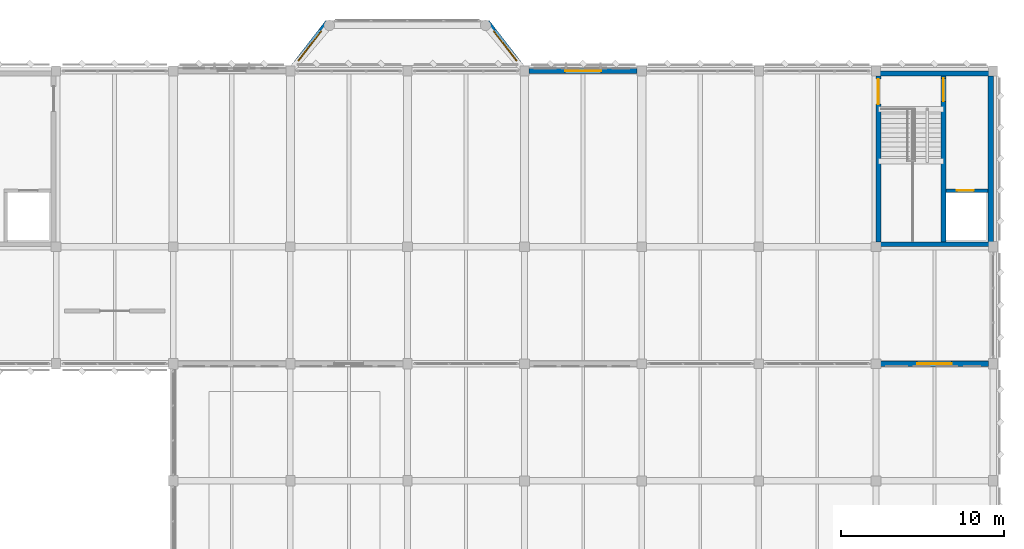
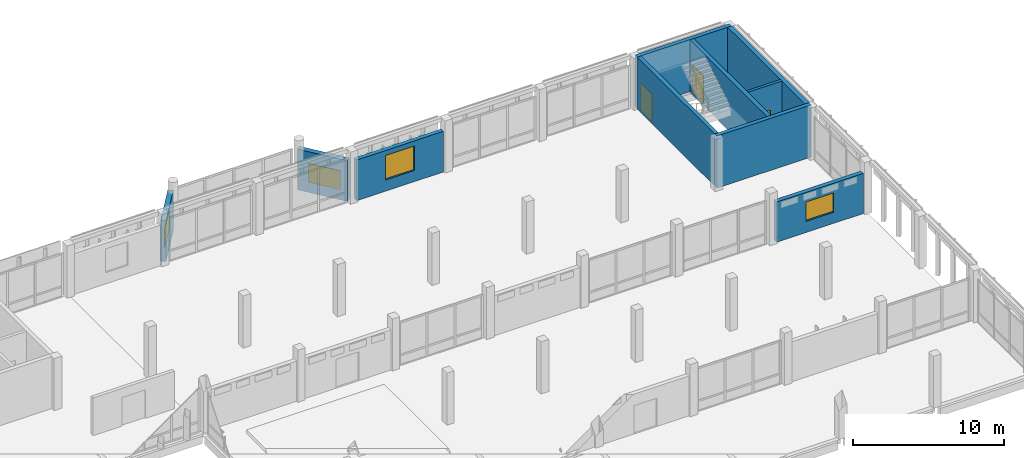
# One storey, part 137 of 158: 10 walls, 4 windows, 3 doors, 7 openings.
"""IFC4 building model written with IfcOpenShell, lengths in metres."""

from ifc_helpers import new_model, si_unit, direction, frame, frame_2d, origin, place, context, subcontext, project, spatial, rectangle, extrude, material, layer, layer_set, type_object, element, fill, save


model = new_model("IFC4")

# Units and contexts
model_context = context("Model", 3, precision=1e-05, world=origin(), true_north=direction((0.0, 1.0)))
body_context = subcontext(model_context, "Body", "Model", "MODEL_VIEW")
ifc_project = project(units=[si_unit("LENGTHUNIT", "METRE"), si_unit("AREAUNIT", "SQUARE_METRE"), si_unit("VOLUMEUNIT", "CUBIC_METRE"), si_unit("PLANEANGLEUNIT", "RADIAN"), si_unit("MASSUNIT", "GRAM", prefix="KILO")], contexts=[model_context])

# Site, building, storey
site_placement = place(None, origin())
site = spatial("IfcSite", under=ifc_project, at=site_placement, CompositionType="ELEMENT")
building_placement = place(site_placement, origin())
building = spatial("IfcBuilding", under=site, at=building_placement, Name="Lusvemor Sports Hall", CompositionType="ELEMENT")
storey_placement = place(building_placement, frame((0.0, 0.0, 10.800048828125)))
storey = spatial("IfcBuildingStorey", under=building, at=storey_placement, Name="L02", CompositionType="ELEMENT", Elevation=10.800048828125)

# Wall, opening, window
ifc_material_1 = material(Name="Emerald polychrome glazed ceramic cladding on Concrete C40/50 backing", Category="concrete")
ifc_layer_1 = layer(ifc_material_1, 0.364990234375)
ifc_layer_set_1 = layer_set([ifc_layer_1], Name="Emerald polychrome glazed ceramic cladding on Concrete C40/50 backing")
wall_type_1 = type_object("IfcWallType", Name="EW_WAVE_CER_365", PredefinedType="STANDARD", material=ifc_layer_set_1)
wall_1_placement = place(storey_placement, frame((126.14697265625, 115.389892578125, 0.0), z_axis=(0.0, 0.0, 1.0), x_axis=(0.612163511331, 0.790731202998, 0.0)))
wall_1 = element("IfcWall", 1, at=wall_1_placement, inside=storey, type_object=wall_type_1, Name="Art Nouveau Bow Wall EW-BOW-N3-L02-1", PredefinedType="STANDARD", context=body_context, shape_type="SweptSolid", body=[
    extrude(rectangle(XDim=3.560302734375, YDim=0.364990234375, at=frame_2d((1.7802734375, 0.0))), origin(), (0.0, 0.0, 1.0), 3.280029296875),
])
opening_1_placement = place(wall_1_placement, frame((0.56005859375, 0.0, 0.699951171875)))
opening_1 = element("IfcOpeningElement", 2, at=opening_1_placement, cuts=wall_1, Name="Opening WN21", PredefinedType="OPENING", context=body_context, shape_type="SweptSolid", body=[
    extrude(rectangle(XDim=2.320068359375, YDim=1.52001953125, at=frame_2d((1.16015625, 0.760009765625))), frame((0.0, 0.1826171875, 0.0), z_axis=(0.0, -1.0, 0.0), x_axis=(1.0, 0.0, 0.0)), (0.0, 0.0, 1.0), 0.364990234375),
])
ifc_material_2 = material(Name="Solar-control laminated double glazing", Category="glass")
window_type_1 = type_object("IfcWindowType", Name="WIN_21", PartitioningType="SINGLE_PANEL", PredefinedType="WINDOW", material=ifc_material_2)
window_1_placement = place(opening_1_placement, origin())
window_1 = element("IfcWindow", 3, at=window_1_placement, inside=storey, type_object=window_type_1, Name="Art Nouveau Bow Window BOW-N3 L02-1", OverallHeight=1.52001953125, OverallWidth=2.320068359375, PartitioningType="SINGLE_PANEL", PredefinedType="WINDOW", context=body_context, shape_type="SweptSolid", body=[
    extrude(rectangle(XDim=2.320068359375, YDim=1.52001953125, at=frame_2d((1.16015625, 0.760009765625))), frame((0.0, 0.030029296875, 0.0), z_axis=(0.0, -1.0, 0.0), x_axis=(1.0, 0.0, 0.0)), (0.0, 0.0, 1.0), 0.06005859375),
])
fill(opening_1, window_1)

wall_2_placement = place(storey_placement, frame((138.073486328125, 118.205078125, 0.0), z_axis=(0.0, 0.0, 1.0), x_axis=(0.612206385164, -0.790698009334, 0.0)))
wall_2 = element("IfcWall", 4, at=wall_2_placement, inside=storey, type_object=wall_type_1, Name="Art Nouveau Bow Wall EW-BOW-N3-L02-3", PredefinedType="STANDARD", context=body_context, shape_type="SweptSolid", body=[
    extrude(rectangle(XDim=3.560302734375, YDim=0.364990234375, at=frame_2d((1.7802734375, 0.0))), origin(), (0.0, 0.0, 1.0), 3.280029296875),
])
opening_2_placement = place(wall_2_placement, frame((0.679931640625, 0.0, 0.699951171875)))
opening_2 = element("IfcOpeningElement", 5, at=opening_2_placement, cuts=wall_2, Name="Opening WN21", PredefinedType="OPENING", context=body_context, shape_type="SweptSolid", body=[
    extrude(rectangle(XDim=2.320068359375, YDim=1.52001953125, at=frame_2d((1.16015625, 0.760009765625))), frame((0.0, 0.1826171875, 0.0), z_axis=(0.0, -1.0, 0.0), x_axis=(1.0, 0.0, 0.0)), (0.0, 0.0, 1.0), 0.364990234375),
])
window_2_placement = place(opening_2_placement, origin())
window_2 = element("IfcWindow", 6, at=window_2_placement, inside=storey, type_object=window_type_1, Name="Art Nouveau Bow Window BOW-N3 L02-3", OverallHeight=1.52001953125, OverallWidth=2.320068359375, PartitioningType="SINGLE_PANEL", PredefinedType="WINDOW", context=body_context, shape_type="SweptSolid", body=[
    extrude(rectangle(XDim=2.320068359375, YDim=1.52001953125, at=frame_2d((1.16015625, 0.760009765625))), frame((0.0, 0.030029296875, 0.0), z_axis=(0.0, -1.0, 0.0), x_axis=(1.0, 0.0, 0.0)), (0.0, 0.0, 1.0), 0.06005859375),
])
fill(opening_2, window_2)

ifc_material_3 = material(Name="Warm terracotta Art Nouveau ceramic cladding on Concrete C40/50 backing", Category="masonry")
ifc_layer_2 = layer(ifc_material_3, 0.31494140625)
ifc_layer_set_2 = layer_set([ifc_layer_2], Name="Warm terracotta Art Nouveau ceramic cladding on Concrete C40/50 backing")
wall_type_2 = type_object("IfcWallType", Name="EW_WING_CAV_315", PredefinedType="STANDARD", material=ifc_layer_set_2)
wall_3_placement = place(storey_placement, frame((140.676025390625, 115.199951171875, 0.0), z_axis=(0.0, 0.0, 1.0), x_axis=(1.0, 0.0, 0.0)))
wall_3 = element("IfcWall", 7, at=wall_3_placement, inside=storey, type_object=wall_type_2, Name="Exterior Wall EW-L02-N-1-15", PredefinedType="STANDARD", context=body_context, shape_type="SweptSolid", body=[
    extrude(rectangle(XDim=6.64794921875, YDim=0.31494140625, at=frame_2d((3.323974609375, 0.0))), origin(), (0.0, 0.0, 1.0), 3.280029296875),
])
opening_3_placement = place(wall_3_placement, frame((2.214111328125, 0.0, 0.89990234375)))
opening_3 = element("IfcOpeningElement", 8, at=opening_3_placement, cuts=wall_3, Name="Opening WN28", PredefinedType="OPENING", context=body_context, shape_type="SweptSolid", body=[
    extrude(rectangle(XDim=2.219970703125, YDim=1.97998046875, at=frame_2d((1.10986328125, 0.989990234375))), frame((0.0, 0.157470703125, 0.0), z_axis=(0.0, -1.0, 0.0), x_axis=(1.0, 0.0, 0.0)), (0.0, 0.0, 1.0), 0.31494140625),
])
ifc_material_4 = material(Name="Solar-control laminated double glazing", Category="glass")
window_type_2 = type_object("IfcWindowType", Name="WIN_28", PartitioningType="SINGLE_PANEL", PredefinedType="WINDOW", material=ifc_material_4)
window_3_placement = place(opening_3_placement, origin())
window_3 = element("IfcWindow", 9, at=window_3_placement, inside=storey, type_object=window_type_2, Name="Wing Window L02-N-1-15", OverallHeight=1.97998046875, OverallWidth=2.219970703125, PartitioningType="SINGLE_PANEL", PredefinedType="WINDOW", context=body_context, shape_type="SweptSolid", body=[
    extrude(rectangle(XDim=2.219970703125, YDim=1.97998046875, at=frame_2d((1.10986328125, 0.989990234375))), frame((0.0, 0.030029296875, 0.0), z_axis=(0.0, -1.0, 0.0), x_axis=(1.0, 0.0, 0.0)), (0.0, 0.0, 1.0), 0.06005859375),
])
fill(opening_3, window_3)

wall_4_placement = place(storey_placement, frame((168.924072265625, 97.199951171875, 0.0), z_axis=(0.0, 0.0, 1.0), x_axis=(-1.0, 0.0, 0.0)))
wall_4 = element("IfcWall", 10, at=wall_4_placement, inside=storey, type_object=wall_type_2, Name="Exterior Wall EW-L02-S-3-16", PredefinedType="STANDARD", context=body_context, shape_type="SweptSolid", body=[
    extrude(rectangle(XDim=6.628173828125, YDim=0.31494140625, at=frame_2d((3.31396484375, 0.0))), origin(), (0.0, 0.0, 1.0), 3.239990234375),
])
opening_4_placement = place(wall_4_placement, frame((2.263916015625, 0.0, 0.89990234375)))
opening_4 = element("IfcOpeningElement", 11, at=opening_4_placement, cuts=wall_4, Name="Opening WN33", PredefinedType="OPENING", context=body_context, shape_type="SweptSolid", body=[
    extrude(rectangle(XDim=2.1201171875, YDim=1.56005859375, at=frame_2d((1.06005859375, 0.780029296875))), frame((0.0, 0.157470703125, 0.0), z_axis=(0.0, -1.0, 0.0), x_axis=(1.0, 0.0, 0.0)), (0.0, 0.0, 1.0), 0.31494140625),
])
ifc_material_5 = material(Name="Solar-control laminated double glazing", Category="glass")
window_type_3 = type_object("IfcWindowType", Name="WIN_33", PartitioningType="SINGLE_PANEL", PredefinedType="WINDOW", material=ifc_material_5)
window_4_placement = place(opening_4_placement, origin())
window_4 = element("IfcWindow", 12, at=window_4_placement, inside=storey, type_object=window_type_3, Name="Wing Window L02-S-3-16", OverallHeight=1.56005859375, OverallWidth=2.1201171875, PartitioningType="SINGLE_PANEL", PredefinedType="WINDOW", context=body_context, shape_type="SweptSolid", body=[
    extrude(rectangle(XDim=2.1201171875, YDim=1.56005859375, at=frame_2d((1.06005859375, 0.780029296875))), frame((0.0, 0.030029296875, 0.0), z_axis=(0.0, -1.0, 0.0), x_axis=(1.0, 0.0, 0.0)), (0.0, 0.0, 1.0), 0.06005859375),
])
fill(opening_4, window_4)

# Wall, opening, door
ifc_material_6 = material(Name="Concrete C40/50", Category="concrete")
ifc_layer_3 = layer(ifc_material_6, 0.2099609375)
ifc_layer_set_3 = layer_set([ifc_layer_3], Name="Concrete C40/50")
wall_type_3 = type_object("IfcWallType", Name="IW_SHFT_212", PredefinedType="STANDARD", material=ifc_layer_set_3)
wall_5_placement = place(storey_placement, frame((166.300048828125, 107.85009765625, 0.0), z_axis=(0.0, 0.0, 1.0), x_axis=(1.0, 0.0, 0.0)))
wall_5 = element("IfcWall", 13, at=wall_5_placement, inside=storey, type_object=wall_type_3, Name="Lift LP-03 Shaft Front Wall (L02)", PredefinedType="STANDARD", context=body_context, shape_type="SweptSolid", body=[
    extrude(rectangle(XDim=2.599853515625, YDim=0.2099609375, at=frame_2d((1.2998046875, 0.0))), origin(), (0.0, 0.0, 1.0), 4.199951171875),
])
opening_5_placement = place(wall_5_placement, frame((0.679931640625, 0.0, 0.0)))
opening_5 = element("IfcOpeningElement", 14, at=opening_5_placement, cuts=wall_5, Name="Opening LD-02", PredefinedType="OPENING", context=body_context, shape_type="SweptSolid", body=[
    extrude(rectangle(XDim=1.0400390625, YDim=2.159912109375, at=frame_2d((0.52001953125, 1.080078125))), frame((0.0, 0.10498046875, 0.0), z_axis=(0.0, -1.0, 0.0), x_axis=(1.0, 0.0, 0.0)), (0.0, 0.0, 1.0), 0.2099609375),
])
ifc_material_7 = material(Name="Brushed stainless-steel sliding lift landing door", Category="steel")
door_type_1 = type_object("IfcDoorType", Name="LIFT_DOOR_PAX_104", OperationType="NOTDEFINED", PredefinedType="DOOR", material=ifc_material_7)
door_1_placement = place(opening_5_placement, origin())
door_1 = element("IfcDoor", 15, at=door_1_placement, inside=storey, type_object=door_type_1, Name="DR-100", OperationType="SLIDING_TO_LEFT", OverallHeight=2.159912109375, OverallWidth=1.0400390625, PredefinedType="DOOR", context=body_context, shape_type="SweptSolid", body=[
    extrude(rectangle(XDim=1.0400390625, YDim=2.159912109375, at=frame_2d((0.52001953125, 1.080078125))), frame((0.0, 0.02490234375, 0.0), z_axis=(0.0, -1.0, 0.0), x_axis=(1.0, 0.0, 0.0)), (0.0, 0.0, 1.0), 0.050048828125),
])
fill(opening_5, door_1)

# Walls
ifc_material_8 = material(Name="Concrete C40/50", Category="concrete")
ifc_layer_4 = layer(ifc_material_8, 0.300048828125)
ifc_layer_set_4 = layer_set([ifc_layer_4], Name="Concrete C40/50")
wall_type_4 = type_object("IfcWallType", Name="WALL_CORE_300_INT", PredefinedType="SHEAR", material=ifc_layer_set_4)
for number, where, z_axis, x_axis, name in (
    (16, (169.199951171875, 104.550048828125, 0.0), (0.0, 0.0, 1.0), (-1.0, 0.0, 0.0), "Core C5 Northeast Shear Wall S (L02)"),
    (17, (162.0, 115.050048828125, 0.0), (0.0, 0.0, 1.0), (1.0, 0.0, 0.0), "Core C5 Northeast Shear Wall N (L02)"),
):
    element("IfcWall", number, at=place(storey_placement, frame(where, z_axis=z_axis, x_axis=x_axis)), inside=storey, type_object=wall_type_4, Name=name, PredefinedType="SHEAR", context=body_context, shape_type="SweptSolid", body=[
        extrude(rectangle(XDim=7.199951171875, YDim=0.300048828125, at=frame_2d((3.60009765625, 0.0))), origin(), (0.0, 0.0, 1.0), 4.199951171875),
    ])

# Wall, opening, door
wall_6_placement = place(storey_placement, frame((162.14990234375, 104.699951171875, 0.0), z_axis=(0.0, 0.0, 1.0), x_axis=(0.0, 1.0, 0.0)))
wall_6 = element("IfcWall", 18, at=wall_6_placement, inside=storey, type_object=wall_type_4, Name="Core C5 Northeast Shear Wall W (L02)", PredefinedType="SHEAR", context=body_context, shape_type="SweptSolid", body=[
    extrude(rectangle(XDim=10.199951171875, YDim=0.300048828125, at=frame_2d((5.10009765625, 0.0))), origin(), (0.0, 0.0, 1.0), 4.199951171875),
])
opening_6_placement = place(wall_6_placement, frame((8.4599609375, 0.0, 0.0)))
opening_6 = element("IfcOpeningElement", 19, at=opening_6_placement, cuts=wall_6, Name="Opening DR-FD60-01", PredefinedType="OPENING", context=body_context, shape_type="SweptSolid", body=[
    extrude(rectangle(XDim=1.5400390625, YDim=2.219970703125, at=frame_2d((0.77001953125, 1.10986328125))), frame((0.0, 0.14990234375, 0.0), z_axis=(0.0, -1.0, 0.0), x_axis=(1.0, 0.0, 0.0)), (0.0, 0.0, 1.0), 0.300048828125),
])
ifc_material_9 = material(Name="Fire-rated insulated painted steel door assembly", Category="steel")
door_type_2 = type_object("IfcDoorType", Name="IDR_LOBBY_FD60_154", OperationType="NOTDEFINED", PredefinedType="DOOR", material=ifc_material_9)
door_2_placement = place(opening_6_placement, origin())
door_2 = element("IfcDoor", 20, at=door_2_placement, inside=storey, type_object=door_type_2, Name="DR-107", OperationType="SINGLE_SWING_LEFT", OverallHeight=2.219970703125, OverallWidth=1.5400390625, PredefinedType="DOOR", context=body_context, shape_type="SweptSolid", body=[
    extrude(rectangle(XDim=1.5400390625, YDim=2.219970703125, at=frame_2d((0.77001953125, 1.10986328125))), frame((0.0, 0.02490234375, 0.0), z_axis=(0.0, -1.0, 0.0), x_axis=(1.0, 0.0, 0.0)), (0.0, 0.0, 1.0), 0.050048828125),
])
fill(opening_6, door_2)

wall_7_placement = place(storey_placement, frame((166.14990234375, 104.699951171875, 0.0), z_axis=(0.0, 0.0, 1.0), x_axis=(0.0, 1.0, 0.0)))
wall_7 = element("IfcWall", 21, at=wall_7_placement, inside=storey, type_object=wall_type_4, Name="Core C5 Northeast Shear Wall M (L02)", PredefinedType="SHEAR", context=body_context, shape_type="SweptSolid", body=[
    extrude(rectangle(XDim=10.199951171875, YDim=0.300048828125, at=frame_2d((5.10009765625, 0.0))), origin(), (0.0, 0.0, 1.0), 4.199951171875),
])
opening_7_placement = place(wall_7_placement, frame((8.6298828125, 0.0, 0.0)))
opening_7 = element("IfcOpeningElement", 22, at=opening_7_placement, cuts=wall_7, Name="Opening DR-FD90-01", PredefinedType="OPENING", context=body_context, shape_type="SweptSolid", body=[
    extrude(rectangle(XDim=1.419921875, YDim=2.199951171875, at=frame_2d((0.7099609375, 1.10009765625))), frame((0.0, 0.14990234375, 0.0), z_axis=(0.0, -1.0, 0.0), x_axis=(1.0, 0.0, 0.0)), (0.0, 0.0, 1.0), 0.300048828125),
])
ifc_material_10 = material(Name="Fire-rated insulated painted steel door assembly", Category="steel")
door_type_3 = type_object("IfcDoorType", Name="IDR_STAIR_FD90_142", OperationType="NOTDEFINED", PredefinedType="DOOR", material=ifc_material_10)
door_3_placement = place(opening_7_placement, origin())
door_3 = element("IfcDoor", 23, at=door_3_placement, inside=storey, type_object=door_type_3, Name="DR-106", OperationType="SINGLE_SWING_RIGHT", OverallHeight=2.199951171875, OverallWidth=1.419921875, PredefinedType="DOOR", context=body_context, shape_type="SweptSolid", body=[
    extrude(rectangle(XDim=1.419921875, YDim=2.199951171875, at=frame_2d((0.7099609375, 1.10009765625))), frame((0.0, 0.02490234375, 0.0), z_axis=(0.0, -1.0, 0.0), x_axis=(1.0, 0.0, 0.0)), (0.0, 0.0, 1.0), 0.050048828125),
])
fill(opening_7, door_3)

# Wall
ifc_material_11 = material(Name="Concrete C40/50", Category="concrete")
ifc_layer_5 = layer(ifc_material_11, 0.324951171875)
ifc_layer_set_5 = layer_set([ifc_layer_5], Name="Concrete C40/50")
wall_type_5 = type_object("IfcWallType", Name="WALL_CORE_325_EXT", PredefinedType="SHEAR", material=ifc_layer_set_5)
wall_8_placement = place(storey_placement, frame((169.050048828125, 114.89990234375, 0.0), z_axis=(0.0, 0.0, 1.0), x_axis=(0.0, -1.0, 0.0)))
element("IfcWall", 24, at=wall_8_placement, inside=storey, type_object=wall_type_5, Name="Core C5 Northeast Shear Wall E (L02)", PredefinedType="SHEAR", context=body_context, shape_type="SweptSolid", body=[
    extrude(rectangle(XDim=10.199951171875, YDim=0.324951171875, at=frame_2d((5.10009765625, 0.0))), origin(), (0.0, 0.0, 1.0), 4.199951171875),
])

save(model, "model.ifc")
